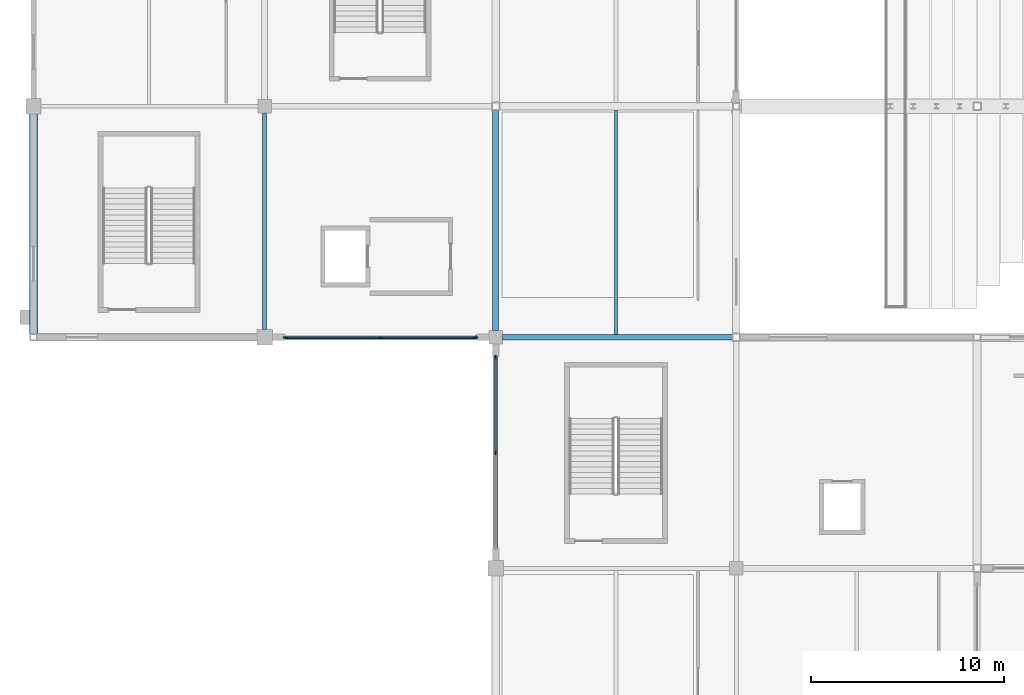
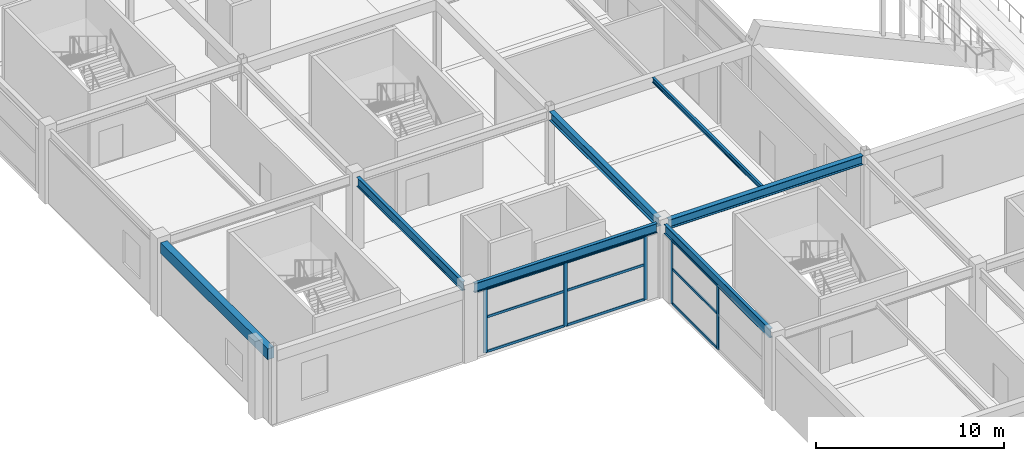
# One storey, part 26 of 128: 14 members, 7 beams, 2 elements without a shape of their own.
"""IFC4 building model written with IfcOpenShell, lengths in metres."""

from ifc_helpers import new_model, si_unit, direction, frame, origin, origin_2d, place, context, subcontext, project, spatial, rectangle, i_section, extrude, material, layer, layer_set, material_profile, profile_set, type_object, element, aggregate, save


model = new_model("IFC4")

# Units and contexts
model_context = context("Model", 3, precision=1e-05, world=origin(), true_north=direction((0.0, 1.0)))
body_context = subcontext(model_context, "Body", "Model", "MODEL_VIEW")
ifc_project = project(units=[si_unit("LENGTHUNIT", "METRE"), si_unit("AREAUNIT", "SQUARE_METRE"), si_unit("VOLUMEUNIT", "CUBIC_METRE"), si_unit("PLANEANGLEUNIT", "RADIAN"), si_unit("MASSUNIT", "GRAM", prefix="KILO")], contexts=[model_context])

# Site, building, storey
site_placement = place(None, origin())
site = spatial("IfcSite", under=ifc_project, at=site_placement, CompositionType="ELEMENT")
building_placement = place(site_placement, origin())
building = spatial("IfcBuilding", under=site, at=building_placement, Name="Kazenohara Klinker Stadium", CompositionType="ELEMENT")
storey_placement = place(building_placement, frame((0.0, 0.0, 15.300048828125)))
storey = spatial("IfcBuildingStorey", under=building, at=storey_placement, Name="L03", CompositionType="ELEMENT", Elevation=15.300048828125)

# Beams
ifc_material_1 = material(Name="Steel S355", Category="steel")
ifc_material_profile_1 = material_profile(ifc_material_1, i_section(OverallWidth=0.14990234375, OverallDepth=0.300048828125, WebThickness=0.006591796875, FlangeThickness=0.009033203125, FilletRadius=0.012939453125, at=origin_2d()), Name="H-300x150x6.5x9")
ifc_profile_set_1 = profile_set([ifc_material_profile_1], Name="Steel S355")
beam_type_1 = type_object("IfcBeamType", Name="BM-JST05", PredefinedType="JOIST", material=ifc_profile_set_1)
beam_1_placement = place(storey_placement, frame((30.25, 36.14990234375, 4.60986328125), z_axis=(0.0, 1.0, 0.0), x_axis=(-1.0, 0.0, 0.0)))
element("IfcBeam", 1, at=beam_1_placement, inside=storey, type_object=beam_type_1, Name="Secondary floor joist SJ05 L03 3/D", PredefinedType="JOIST", context=body_context, shape_type="SweptSolid", body=[
    extrude(i_section(OverallWidth=0.14990234375, OverallDepth=0.300048828125, WebThickness=0.006591796875, FlangeThickness=0.009033203125, FilletRadius=0.012939453125, at=origin_2d()), origin(), (0.0, 0.0, 1.0), 11.650146484375),
])
ifc_material_2 = material(Name="Concrete C40/50", Category="concrete")
ifc_material_profile_2 = material_profile(ifc_material_2, rectangle(XDim=0.39990234375, YDim=0.699951171875, at=origin_2d()), Name="RC-BM-400x700")
ifc_profile_set_2 = profile_set([ifc_material_profile_2], Name="Concrete C40/50")
beam_type_2 = type_object("IfcBeamType", Name="BM-RC04", PredefinedType="BEAM", material=ifc_profile_set_2)
beam_2_placement = place(storey_placement, frame((0.0, 36.175048828125, 4.409912109375), z_axis=(0.0, 1.0, 0.0), x_axis=(-1.0, 0.0, 0.0)))
element("IfcBeam", 2, at=beam_2_placement, inside=storey, type_object=beam_type_2, Name="Primary girder BG04 L03 1/D-E", PredefinedType="BEAM", context=body_context, shape_type="SweptSolid", body=[
    extrude(rectangle(XDim=0.39990234375, YDim=0.699951171875, at=origin_2d()), origin(), (0.0, 0.0, 1.0), 11.425048828125),
])
ifc_material_profile_3 = material_profile(ifc_material_1, i_section(OverallWidth=0.199951171875, OverallDepth=0.60009765625, WebThickness=0.010986328125, FlangeThickness=0.01708984375, FilletRadius=0.012939453125, at=origin_2d()), Name="H-600x200x11x17")
ifc_profile_set_3 = profile_set([ifc_material_profile_3], Name="Steel S355")
beam_type_3 = type_object("IfcBeamType", Name="BM-ST04", PredefinedType="BEAM", material=ifc_profile_set_3)
for number, where, z_axis, x_axis, name in (
    (3, (12.39990234375, 36.0, 4.4599609375), (1.0, 0.0, 0.0), (0.0, 1.0, 0.0), "Primary girder SB04 L03 2-3/D"),
    (4, (12.0, 36.39990234375, 4.4599609375), (0.0, 1.0, 0.0), (-1.0, 0.0, 0.0), "Primary girder SB04 L03 2/D-E"),
    (5, (24.0, 24.39990234375, 4.4599609375), (0.0, 1.0, 0.0), (-1.0, 0.0, 0.0), "Primary girder SB04 L03 3/C-D"),
):
    element("IfcBeam", number, at=place(storey_placement, frame(where, z_axis=z_axis, x_axis=x_axis)), inside=storey, type_object=beam_type_3, Name=name, PredefinedType="BEAM", context=body_context, shape_type="SweptSolid", body=[
        extrude(i_section(OverallWidth=0.199951171875, OverallDepth=0.60009765625, WebThickness=0.010986328125, FlangeThickness=0.01708984375, FilletRadius=0.012939453125, at=origin_2d()), origin(), (0.0, 0.0, 1.0), 11.25),
    ])
ifc_material_profile_4 = material_profile(ifc_material_1, i_section(OverallWidth=0.300048828125, OverallDepth=0.587890625, WebThickness=0.011962890625, FlangeThickness=0.02001953125, FilletRadius=0.02197265625, at=origin_2d()), Name="H-588x300x12x20")
ifc_profile_set_4 = profile_set([ifc_material_profile_4], Name="Steel S355")
beam_type_4 = type_object("IfcBeamType", Name="BM-ST05", PredefinedType="BEAM", material=ifc_profile_set_4)
beam_3_placement = place(storey_placement, frame((24.35009765625, 36.0, 4.466064453125), z_axis=(1.0, 0.0, 0.0), x_axis=(0.0, 1.0, 0.0)))
element("IfcBeam", 6, at=beam_3_placement, inside=storey, type_object=beam_type_4, Name="Primary girder SB05 L03 3-4/D", PredefinedType="BEAM", context=body_context, shape_type="SweptSolid", body=[
    extrude(i_section(OverallWidth=0.300048828125, OverallDepth=0.587890625, WebThickness=0.011962890625, FlangeThickness=0.02001953125, FilletRadius=0.02197265625, at=origin_2d()), origin(), (0.0, 0.0, 1.0), 11.949951171875),
])
beam_4_placement = place(storey_placement, frame((24.0, 36.35009765625, 4.466064453125), z_axis=(0.0, 1.0, 0.0), x_axis=(-1.0, 0.0, 0.0)))
element("IfcBeam", 7, at=beam_4_placement, inside=storey, type_object=beam_type_4, Name="Primary girder SB05 L03 3/D-E", PredefinedType="BEAM", context=body_context, shape_type="SweptSolid", body=[
    extrude(i_section(OverallWidth=0.300048828125, OverallDepth=0.587890625, WebThickness=0.011962890625, FlangeThickness=0.02001953125, FilletRadius=0.02197265625, at=origin_2d()), origin(), (0.0, 0.0, 1.0), 11.449951171875),
])

# Curtain wall, members
ifc_material_3 = material(Name="Anodised aluminium and triple glazing", Category="aluminium")
ifc_layer_1 = layer(ifc_material_3, 0.199951171875)
ifc_layer_set_1 = layer_set([ifc_layer_1], Name="Anodised aluminium and triple glazing")
curtain_wall_type_1 = type_object("IfcCurtainWallType", Name="CW-SYS-03", PredefinedType="USERDEFINED", material=ifc_layer_set_1)
curtain_wall_1_placement = place(storey_placement, origin())
curtain_wall_1 = element("IfcCurtainWall", 8, at=curtain_wall_1_placement, inside=storey, type_object=curtain_wall_type_1, Name="Unitised facade curtain wall CW03 L03 X1-3", ObjectType="UNITISED CURTAIN WALL", PredefinedType="USERDEFINED")
ifc_material_4 = material(Name="Anodised aluminium 6063-T6", Category="aluminium")
ifc_material_profile_5 = material_profile(ifc_material_4, rectangle(XDim=0.074951171875, YDim=0.219970703125, at=origin_2d()), Name="ALU-MUL-75x220")
ifc_profile_set_5 = profile_set([ifc_material_profile_5], Name="Anodised aluminium 6063-T6")
member_type_1 = type_object("IfcMemberType", Name="CW-MUL-220", PredefinedType="MULLION", material=ifc_profile_set_5)
member_1_placement = place(storey_placement, frame((13.091552734375, 36.0, 0.0), z_axis=(0.0, 0.0, 1.0), x_axis=(0.0, 1.0, 0.0)))
member_1 = element("IfcMember", 9, at=member_1_placement, type_object=member_type_1, Name="CW03 mullion 1", PredefinedType="MULLION", context=body_context, shape_type="SweptSolid", body=[
    extrude(rectangle(XDim=0.074951171875, YDim=0.219970703125, at=origin_2d()), origin(), (0.0, 0.0, 1.0), 4.159912109375),
])
member_2_placement = place(storey_placement, frame((18.02490234375, 36.0, 0.0), z_axis=(0.0, 0.0, 1.0), x_axis=(0.0, 1.0, 0.0)))
member_2 = element("IfcMember", 10, at=member_2_placement, type_object=member_type_1, Name="CW03 mullion 2", PredefinedType="MULLION", context=body_context, shape_type="SweptSolid", body=[
    extrude(rectangle(XDim=0.074951171875, YDim=0.219970703125, at=origin_2d()), origin(), (0.0, 0.0, 1.0), 4.159912109375),
])
member_3_placement = place(storey_placement, frame((22.95849609375, 36.0, 0.0), z_axis=(0.0, 0.0, 1.0), x_axis=(0.0, 1.0, 0.0)))
member_3 = element("IfcMember", 11, at=member_3_placement, type_object=member_type_1, Name="CW03 mullion 3", PredefinedType="MULLION", context=body_context, shape_type="SweptSolid", body=[
    extrude(rectangle(XDim=0.074951171875, YDim=0.219970703125, at=origin_2d()), origin(), (0.0, 0.0, 1.0), 4.159912109375),
])

ifc_layer_2 = layer(ifc_material_3, 0.18994140625)
ifc_layer_set_2 = layer_set([ifc_layer_2], Name="Anodised aluminium and triple glazing")
curtain_wall_type_2 = type_object("IfcCurtainWallType", Name="CW-SYS-05", PredefinedType="USERDEFINED", material=ifc_layer_set_2)
curtain_wall_2_placement = place(storey_placement, origin())
curtain_wall_2 = element("IfcCurtainWall", 12, at=curtain_wall_2_placement, inside=storey, type_object=curtain_wall_type_2, Name="Unitised facade curtain wall CW05 L03 Y2-2", ObjectType="UNITISED CURTAIN WALL", PredefinedType="USERDEFINED")
member_4_placement = place(storey_placement, frame((24.0, 30.02490234375, 0.0), z_axis=(0.0, 0.0, 1.0), x_axis=(-1.0, 0.0, 0.0)))
member_4 = element("IfcMember", 13, at=member_4_placement, type_object=member_type_1, Name="CW05 mullion 2", PredefinedType="MULLION", context=body_context, shape_type="SweptSolid", body=[
    extrude(rectangle(XDim=0.074951171875, YDim=0.219970703125, at=origin_2d()), origin(), (0.0, 0.0, 1.0), 4.159912109375),
])
member_5_placement = place(storey_placement, frame((24.0, 34.95849609375, 0.0), z_axis=(0.0, 0.0, 1.0), x_axis=(-1.0, 0.0, 0.0)))
member_5 = element("IfcMember", 14, at=member_5_placement, type_object=member_type_1, Name="CW05 mullion 3", PredefinedType="MULLION", context=body_context, shape_type="SweptSolid", body=[
    extrude(rectangle(XDim=0.074951171875, YDim=0.219970703125, at=origin_2d()), origin(), (0.0, 0.0, 1.0), 4.159912109375),
])

# Member
ifc_material_profile_6 = material_profile(ifc_material_4, rectangle(XDim=0.074951171875, YDim=0.159912109375, at=origin_2d()), Name="ALU-TRN-75x160")
ifc_profile_set_6 = profile_set([ifc_material_profile_6], Name="Anodised aluminium 6063-T6")
member_type_2 = type_object("IfcMemberType", Name="CW-TRN-160", PredefinedType="USERDEFINED", material=ifc_profile_set_6)
member_6_placement = place(storey_placement, frame((13.12890625, 36.0, 0.037353515625), z_axis=(1.0, 0.0, 0.0), x_axis=(0.0, 1.0, 0.0)))
member_6 = element("IfcMember", 15, at=member_6_placement, type_object=member_type_2, Name="CW03 transom 1.1", ObjectType="TRANSOM", PredefinedType="USERDEFINED", context=body_context, shape_type="SweptSolid", body=[
    extrude(rectangle(XDim=0.074951171875, YDim=0.159912109375, at=origin_2d()), origin(), (0.0, 0.0, 1.0), 4.858642578125),
])

member_7_placement = place(storey_placement, frame((13.12890625, 36.0, 2.287841796875), z_axis=(1.0, 0.0, 0.0), x_axis=(0.0, 1.0, 0.0)))
member_7 = element("IfcMember", 16, at=member_7_placement, type_object=member_type_2, Name="CW03 transom 1.2", ObjectType="TRANSOM", PredefinedType="USERDEFINED", context=body_context, shape_type="SweptSolid", body=[
    extrude(rectangle(XDim=0.074951171875, YDim=0.159912109375, at=origin_2d()), origin(), (0.0, 0.0, 1.0), 4.858642578125),
])

member_8_placement = place(storey_placement, frame((13.12890625, 36.0, 4.12255859375), z_axis=(1.0, 0.0, 0.0), x_axis=(0.0, 1.0, 0.0)))
member_8 = element("IfcMember", 17, at=member_8_placement, type_object=member_type_2, Name="CW03 transom 1.3", ObjectType="TRANSOM", PredefinedType="USERDEFINED", context=body_context, shape_type="SweptSolid", body=[
    extrude(rectangle(XDim=0.074951171875, YDim=0.159912109375, at=origin_2d()), origin(), (0.0, 0.0, 1.0), 4.858642578125),
])

member_9_placement = place(storey_placement, frame((18.0625, 36.0, 0.037353515625), z_axis=(1.0, 0.0, 0.0), x_axis=(0.0, 1.0, 0.0)))
member_9 = element("IfcMember", 18, at=member_9_placement, type_object=member_type_2, Name="CW03 transom 2.1", ObjectType="TRANSOM", PredefinedType="USERDEFINED", context=body_context, shape_type="SweptSolid", body=[
    extrude(rectangle(XDim=0.074951171875, YDim=0.159912109375, at=origin_2d()), origin(), (0.0, 0.0, 1.0), 4.8583984375),
])

member_10_placement = place(storey_placement, frame((18.0625, 36.0, 2.287841796875), z_axis=(1.0, 0.0, 0.0), x_axis=(0.0, 1.0, 0.0)))
member_10 = element("IfcMember", 19, at=member_10_placement, type_object=member_type_2, Name="CW03 transom 2.2", ObjectType="TRANSOM", PredefinedType="USERDEFINED", context=body_context, shape_type="SweptSolid", body=[
    extrude(rectangle(XDim=0.074951171875, YDim=0.159912109375, at=origin_2d()), origin(), (0.0, 0.0, 1.0), 4.8583984375),
])

member_11_placement = place(storey_placement, frame((18.0625, 36.0, 4.12255859375), z_axis=(1.0, 0.0, 0.0), x_axis=(0.0, 1.0, 0.0)))
member_11 = element("IfcMember", 20, at=member_11_placement, type_object=member_type_2, Name="CW03 transom 2.3", ObjectType="TRANSOM", PredefinedType="USERDEFINED", context=body_context, shape_type="SweptSolid", body=[
    extrude(rectangle(XDim=0.074951171875, YDim=0.159912109375, at=origin_2d()), origin(), (0.0, 0.0, 1.0), 4.8583984375),
])

aggregate(curtain_wall_1, [member_1, member_2, member_3, member_6, member_7, member_8, member_9, member_10, member_11])

member_12_placement = place(storey_placement, frame((24.0, 30.0625, 0.037353515625), z_axis=(0.0, 1.0, 0.0), x_axis=(-1.0, 0.0, 0.0)))
member_12 = element("IfcMember", 21, at=member_12_placement, type_object=member_type_2, Name="CW05 transom 2.1", ObjectType="TRANSOM", PredefinedType="USERDEFINED", context=body_context, shape_type="SweptSolid", body=[
    extrude(rectangle(XDim=0.074951171875, YDim=0.159912109375, at=origin_2d()), origin(), (0.0, 0.0, 1.0), 4.8583984375),
])

member_13_placement = place(storey_placement, frame((24.0, 30.0625, 2.287841796875), z_axis=(0.0, 1.0, 0.0), x_axis=(-1.0, 0.0, 0.0)))
member_13 = element("IfcMember", 22, at=member_13_placement, type_object=member_type_2, Name="CW05 transom 2.2", ObjectType="TRANSOM", PredefinedType="USERDEFINED", context=body_context, shape_type="SweptSolid", body=[
    extrude(rectangle(XDim=0.074951171875, YDim=0.159912109375, at=origin_2d()), origin(), (0.0, 0.0, 1.0), 4.8583984375),
])

member_14_placement = place(storey_placement, frame((24.0, 30.0625, 4.12255859375), z_axis=(0.0, 1.0, 0.0), x_axis=(-1.0, 0.0, 0.0)))
member_14 = element("IfcMember", 23, at=member_14_placement, type_object=member_type_2, Name="CW05 transom 2.3", ObjectType="TRANSOM", PredefinedType="USERDEFINED", context=body_context, shape_type="SweptSolid", body=[
    extrude(rectangle(XDim=0.074951171875, YDim=0.159912109375, at=origin_2d()), origin(), (0.0, 0.0, 1.0), 4.8583984375),
])

aggregate(curtain_wall_2, [member_4, member_5, member_12, member_13, member_14])

save(model, "model.ifc")
